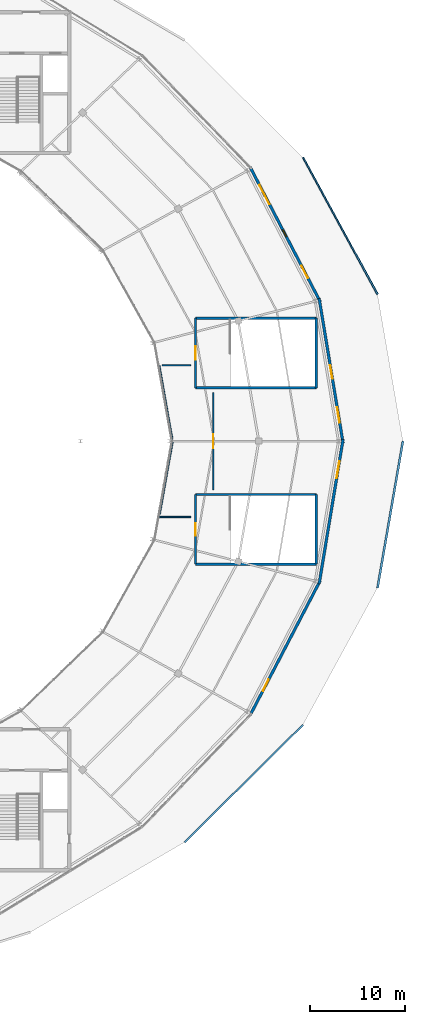
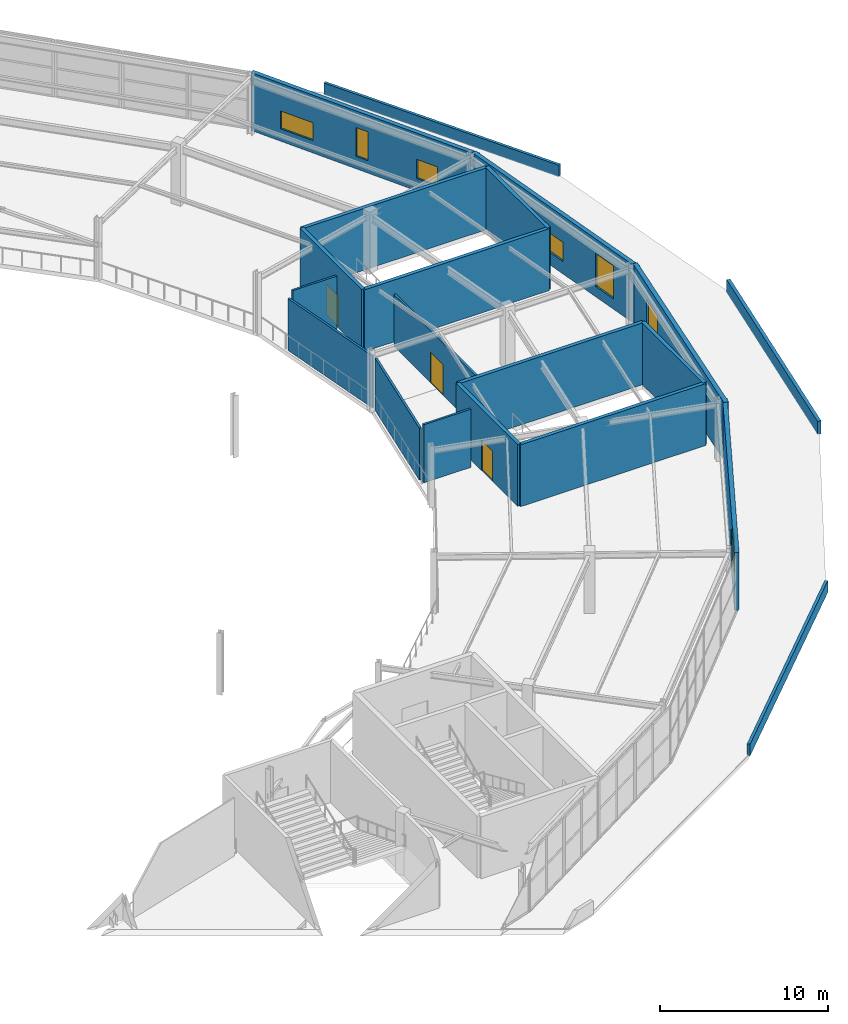
# One storey, part 110 of 126: 20 walls, 7 windows, 3 doors, 10 openings.
"""IFC4 building model written with IfcOpenShell, lengths in metres."""

from ifc_helpers import new_model, si_unit, direction, frame, frame_2d, origin, place, context, subcontext, project, spatial, rectangle, extrude, material, layer, layer_set, type_object, element, fill, save


model = new_model("IFC4")

# Units and contexts
model_context = context("Model", 3, precision=1e-05, world=origin(), true_north=direction((0.0, 1.0)))
body_context = subcontext(model_context, "Body", "Model", "MODEL_VIEW")
ifc_project = project(units=[si_unit("LENGTHUNIT", "METRE"), si_unit("AREAUNIT", "SQUARE_METRE"), si_unit("VOLUMEUNIT", "CUBIC_METRE"), si_unit("PLANEANGLEUNIT", "RADIAN"), si_unit("MASSUNIT", "GRAM", prefix="KILO")], contexts=[model_context])

# Site, building, storey
site_placement = place(None, origin())
site = spatial("IfcSite", under=ifc_project, at=site_placement, CompositionType="ELEMENT")
building_placement = place(site_placement, origin())
building = spatial("IfcBuilding", under=site, at=building_placement, Name="Kalgoora Escarpment Arena", CompositionType="ELEMENT")
storey_placement = place(building_placement, frame((0.0, 0.0, 18.89990234375)))
storey = spatial("IfcBuildingStorey", under=building, at=storey_placement, Name="L04", CompositionType="ELEMENT", Elevation=18.89990234375)

# Wall, openings, windows
ifc_material_1 = material(Name="Upper concourse insulated spandrel wall 40 MPa", Category="concrete")
ifc_layer_1 = layer(ifc_material_1, 0.2900390625)
ifc_layer_set_1 = layer_set([ifc_layer_1], Name="WAL-EXT-290")
wall_type_1 = type_object("IfcWallType", Name="WAL-EXT-290", PredefinedType="SOLIDWALL", material=ifc_layer_set_1)
wall_1_placement = place(storey_placement, frame((154.893798828125, 92.882080078125, 0.0), z_axis=(0.0, 0.0, 1.0), x_axis=(0.461809621972, -0.886979071373, 0.0)))
wall_1 = element("IfcWall", 1, at=wall_1_placement, inside=storey, type_object=wall_type_1, Name="L04 limestone-faced external wall 079", PredefinedType="SOLIDWALL", context=body_context, shape_type="SweptSolid", body=[
    extrude(rectangle(XDim=15.998291015625, YDim=0.2900390625, at=frame_2d((7.9990234375, 0.0))), origin(), (0.0, 0.0, 1.0), 4.210205078125),
])
opening_1_placement = place(wall_1_placement, frame((2.10009765625, 0.0, 0.89990234375)))
opening_1 = element("IfcOpeningElement", 2, at=opening_1_placement, cuts=wall_1, Name="Opening W-16", PredefinedType="OPENING", context=body_context, shape_type="SweptSolid", body=[
    extrude(rectangle(XDim=2.300048828125, YDim=1.300048828125, at=frame_2d((1.14990234375, 0.64990234375))), frame((0.0, 0.155029296875, 0.0), z_axis=(0.0, -1.0, 0.0), x_axis=(1.0, 0.0, 0.0)), (0.0, 0.0, 1.0), 0.31005859375),
])
opening_2_placement = place(wall_1_placement, frame((7.425048828125, 0.0, 0.89990234375)))
opening_2 = element("IfcOpeningElement", 3, at=opening_2_placement, cuts=wall_1, Name="Opening W-18", PredefinedType="OPENING", context=body_context, shape_type="SweptSolid", body=[
    extrude(rectangle(XDim=0.85009765625, YDim=2.10009765625, at=frame_2d((0.425048828125, 1.050048828125))), frame((0.0, 0.155029296875, 0.0), z_axis=(0.0, -1.0, 0.0), x_axis=(1.0, 0.0, 0.0)), (0.0, 0.0, 1.0), 0.31005859375),
])
opening_3_placement = place(wall_1_placement, frame((11.72509765625, 0.0, 0.89990234375)))
opening_3 = element("IfcOpeningElement", 4, at=opening_3_placement, cuts=wall_1, Name="Opening W-20", PredefinedType="OPENING", context=body_context, shape_type="SweptSolid", body=[
    extrude(rectangle(XDim=1.449951171875, YDim=1.39990234375, at=frame_2d((0.72509765625, 0.699951171875))), frame((0.0, 0.155029296875, 0.0), z_axis=(0.0, -1.0, 0.0), x_axis=(1.0, 0.0, 0.0)), (0.0, 0.0, 1.0), 0.31005859375),
])
ifc_material_2 = material(Name="Low-E solar-control double glazing in champagne frame", Category="glass")
window_type_1 = type_object("IfcWindowType", Name="WIN-BOH-1450x1400", PartitioningType="SINGLE_PANEL", PredefinedType="WINDOW", material=ifc_material_2)
window_1_placement = place(opening_3_placement, origin())
window_1 = element("IfcWindow", 5, at=window_1_placement, inside=storey, type_object=window_type_1, Name="L04 scheduled facade window 138", OverallHeight=1.39990234375, OverallWidth=1.449951171875, PartitioningType="SINGLE_PANEL", PredefinedType="WINDOW", context=body_context, shape_type="SweptSolid", body=[
    extrude(rectangle(XDim=1.449951171875, YDim=1.39990234375, at=frame_2d((0.72509765625, 0.699951171875))), frame((0.0, 0.030029296875, 0.0), z_axis=(0.0, -1.0, 0.0), x_axis=(1.0, 0.0, 0.0)), (0.0, 0.0, 1.0), 0.06005859375),
])
fill(opening_3, window_1)
ifc_material_3 = material(Name="Low-E solar-control double glazing in champagne frame", Category="glass")
window_type_2 = type_object("IfcWindowType", Name="WIN-CLER-2300x1300", PartitioningType="SINGLE_PANEL", PredefinedType="WINDOW", material=ifc_material_3)
window_2_placement = place(opening_1_placement, origin())
window_2 = element("IfcWindow", 6, at=window_2_placement, inside=storey, type_object=window_type_2, Name="L04 scheduled facade window 136", OverallHeight=1.300048828125, OverallWidth=2.300048828125, PartitioningType="SINGLE_PANEL", PredefinedType="WINDOW", context=body_context, shape_type="SweptSolid", body=[
    extrude(rectangle(XDim=2.300048828125, YDim=1.300048828125, at=frame_2d((1.14990234375, 0.64990234375))), frame((0.0, 0.030029296875, 0.0), z_axis=(0.0, -1.0, 0.0), x_axis=(1.0, 0.0, 0.0)), (0.0, 0.0, 1.0), 0.06005859375),
])
fill(opening_1, window_2)
ifc_material_4 = material(Name="Low-E solar-control double glazing in champagne frame", Category="glass")
window_type_3 = type_object("IfcWindowType", Name="WIN-SLOT-0850x2100", PartitioningType="SINGLE_PANEL", PredefinedType="WINDOW", material=ifc_material_4)
window_3_placement = place(opening_2_placement, origin())
window_3 = element("IfcWindow", 7, at=window_3_placement, inside=storey, type_object=window_type_3, Name="L04 scheduled facade window 137", OverallHeight=2.10009765625, OverallWidth=0.85009765625, PartitioningType="SINGLE_PANEL", PredefinedType="WINDOW", context=body_context, shape_type="SweptSolid", body=[
    extrude(rectangle(XDim=0.85009765625, YDim=2.10009765625, at=frame_2d((0.425048828125, 1.050048828125))), frame((0.0, 0.030029296875, 0.0), z_axis=(0.0, -1.0, 0.0), x_axis=(1.0, 0.0, 0.0)), (0.0, 0.0, 1.0), 0.06005859375),
])
fill(opening_2, window_3)

wall_2_placement = place(storey_placement, frame((162.16259765625, 79.05029296875, 0.0), z_axis=(0.0, 0.0, 1.0), x_axis=(0.163248112774, -0.986585046347, 0.0)))
wall_2 = element("IfcWall", 8, at=wall_2_placement, inside=storey, type_object=wall_type_1, Name="L04 limestone-faced external wall 080", PredefinedType="SOLIDWALL", context=body_context, shape_type="SweptSolid", body=[
    extrude(rectangle(XDim=15.447265625, YDim=0.2900390625, at=frame_2d((7.7236328125, 0.0))), origin(), (0.0, 0.0, 1.0), 4.210205078125),
])
opening_4_placement = place(wall_2_placement, frame((7.125, 0.0, 0.89990234375)))
opening_4 = element("IfcOpeningElement", 9, at=opening_4_placement, cuts=wall_2, Name="Opening W-20", PredefinedType="OPENING", context=body_context, shape_type="SweptSolid", body=[
    extrude(rectangle(XDim=1.449951171875, YDim=1.39990234375, at=frame_2d((0.72509765625, 0.699951171875))), frame((0.0, 0.155029296875, 0.0), z_axis=(0.0, -1.0, 0.0), x_axis=(1.0, 0.0, 0.0)), (0.0, 0.0, 1.0), 0.31005859375),
])
opening_5_placement = place(wall_2_placement, frame((11.625, 0.0, 0.75)))
opening_5 = element("IfcOpeningElement", 10, at=opening_5_placement, cuts=wall_2, Name="Opening W-02", PredefinedType="OPENING", context=body_context, shape_type="SweptSolid", body=[
    extrude(rectangle(XDim=1.64990234375, YDim=2.39990234375, at=frame_2d((0.824951171875, 1.199951171875))), frame((0.0, 0.155029296875, 0.0), z_axis=(0.0, -1.0, 0.0), x_axis=(1.0, 0.0, 0.0)), (0.0, 0.0, 1.0), 0.31005859375),
])
window_4_placement = place(opening_4_placement, origin())
window_4 = element("IfcWindow", 11, at=window_4_placement, inside=storey, type_object=window_type_1, Name="L04 scheduled facade window 139", OverallHeight=1.39990234375, OverallWidth=1.449951171875, PartitioningType="SINGLE_PANEL", PredefinedType="WINDOW", context=body_context, shape_type="SweptSolid", body=[
    extrude(rectangle(XDim=1.449951171875, YDim=1.39990234375, at=frame_2d((0.72509765625, 0.699951171875))), frame((0.0, 0.030029296875, 0.0), z_axis=(0.0, -1.0, 0.0), x_axis=(1.0, 0.0, 0.0)), (0.0, 0.0, 1.0), 0.06005859375),
])
fill(opening_4, window_4)
ifc_material_5 = material(Name="Low-E solar-control double glazing in champagne frame", Category="glass")
window_type_4 = type_object("IfcWindowType", Name="WIN-DECO-1650x2400", PartitioningType="SINGLE_PANEL", PredefinedType="WINDOW", material=ifc_material_5)
window_5_placement = place(opening_5_placement, origin())
window_5 = element("IfcWindow", 12, at=window_5_placement, inside=storey, type_object=window_type_4, Name="L04 scheduled facade window 140", OverallHeight=2.39990234375, OverallWidth=1.64990234375, PartitioningType="SINGLE_PANEL", PredefinedType="WINDOW", context=body_context, shape_type="SweptSolid", body=[
    extrude(rectangle(XDim=1.64990234375, YDim=2.39990234375, at=frame_2d((0.824951171875, 1.199951171875))), frame((0.0, 0.030029296875, 0.0), z_axis=(0.0, -1.0, 0.0), x_axis=(1.0, 0.0, 0.0)), (0.0, 0.0, 1.0), 0.06005859375),
])
fill(opening_5, window_5)

# Wall, opening, window
wall_3_placement = place(storey_placement, frame((164.684326171875, 64.189697265625, 0.0), z_axis=(0.0, 0.0, 1.0), x_axis=(-0.163248112774, -0.986585046347, 0.0)))
wall_3 = element("IfcWall", 13, at=wall_3_placement, inside=storey, type_object=wall_type_1, Name="L04 limestone-faced external wall 081", PredefinedType="SOLIDWALL", context=body_context, shape_type="SweptSolid", body=[
    extrude(rectangle(XDim=15.447265625, YDim=0.2900390625, at=frame_2d((7.7236328125, 0.0))), origin(), (0.0, 0.0, 1.0), 4.22998046875),
])
opening_6_placement = place(wall_3_placement, frame((2.35009765625, 0.0, 0.75)))
opening_6 = element("IfcOpeningElement", 14, at=opening_6_placement, cuts=wall_3, Name="Opening W-01", PredefinedType="OPENING", context=body_context, shape_type="SweptSolid", body=[
    extrude(rectangle(XDim=1.800048828125, YDim=2.39990234375, at=frame_2d((0.89990234375, 1.199951171875))), frame((0.0, 0.155029296875, 0.0), z_axis=(0.0, -1.0, 0.0), x_axis=(1.0, 0.0, 0.0)), (0.0, 0.0, 1.0), 0.31005859375),
])
ifc_material_6 = material(Name="Low-E solar-control double glazing in champagne frame", Category="glass")
window_type_5 = type_object("IfcWindowType", Name="WIN-DECO-1800x2400", PartitioningType="SINGLE_PANEL", PredefinedType="WINDOW", material=ifc_material_6)
window_6_placement = place(opening_6_placement, origin())
window_6 = element("IfcWindow", 15, at=window_6_placement, inside=storey, type_object=window_type_5, Name="L04 scheduled facade window 141", OverallHeight=2.39990234375, OverallWidth=1.800048828125, PartitioningType="SINGLE_PANEL", PredefinedType="WINDOW", context=body_context, shape_type="SweptSolid", body=[
    extrude(rectangle(XDim=1.800048828125, YDim=2.39990234375, at=frame_2d((0.89990234375, 1.199951171875))), frame((0.0, 0.030029296875, 0.0), z_axis=(0.0, -1.0, 0.0), x_axis=(1.0, 0.0, 0.0)), (0.0, 0.0, 1.0), 0.06005859375),
])
fill(opening_6, window_6)

wall_4_placement = place(storey_placement, frame((162.281982421875, 49.30810546875, 0.0), z_axis=(0.0, 0.0, 1.0), x_axis=(-0.461809621972, -0.886979071373, 0.0)))
wall_4 = element("IfcWall", 16, at=wall_4_placement, inside=storey, type_object=wall_type_1, Name="L04 limestone-faced external wall 082", PredefinedType="SOLIDWALL", context=body_context, shape_type="SweptSolid", body=[
    extrude(rectangle(XDim=15.998291015625, YDim=0.2900390625, at=frame_2d((7.9990234375, 0.0))), origin(), (0.0, 0.0, 1.0), 4.22998046875),
])
opening_7_placement = place(wall_4_placement, frame((11.77490234375, 0.0, 0.75)))
opening_7 = element("IfcOpeningElement", 17, at=opening_7_placement, cuts=wall_4, Name="Opening W-04", PredefinedType="OPENING", context=body_context, shape_type="SweptSolid", body=[
    extrude(rectangle(XDim=1.35009765625, YDim=2.300048828125, at=frame_2d((0.675048828125, 1.14990234375))), frame((0.0, 0.155029296875, 0.0), z_axis=(0.0, -1.0, 0.0), x_axis=(1.0, 0.0, 0.0)), (0.0, 0.0, 1.0), 0.31005859375),
])
ifc_material_7 = material(Name="Low-E solar-control double glazing in champagne frame", Category="glass")
window_type_6 = type_object("IfcWindowType", Name="WIN-DECO-1350x2300", PartitioningType="SINGLE_PANEL", PredefinedType="WINDOW", material=ifc_material_7)
window_7_placement = place(opening_7_placement, origin())
window_7 = element("IfcWindow", 18, at=window_7_placement, inside=storey, type_object=window_type_6, Name="L04 scheduled facade window 142", OverallHeight=2.300048828125, OverallWidth=1.35009765625, PartitioningType="SINGLE_PANEL", PredefinedType="WINDOW", context=body_context, shape_type="SweptSolid", body=[
    extrude(rectangle(XDim=1.35009765625, YDim=2.300048828125, at=frame_2d((0.675048828125, 1.14990234375))), frame((0.0, 0.030029296875, 0.0), z_axis=(0.0, -1.0, 0.0), x_axis=(1.0, 0.0, 0.0)), (0.0, 0.0, 1.0), 0.06005859375),
])
fill(opening_7, window_7)

# Walls
ifc_material_8 = material(Name="Stepped ziggurat roof parapet Concrete N40 (fc' 40 MPa)", Category="concrete")
ifc_layer_2 = layer(ifc_material_8, 0.18505859375)
ifc_layer_set_2 = layer_set([ifc_layer_2], Name="WAL-PAR-185")
wall_type_2 = type_object("IfcWallType", Name="WAL-PAR-185", PredefinedType="PARAPET", material=ifc_layer_set_2)
wall_5_placement = place(storey_placement, frame((160.469482421875, 93.89990234375, 0.0), z_axis=(0.0, 0.0, 1.0), x_axis=(0.478167629272, -0.878268591216, 0.0)))
element("IfcWall", 19, at=wall_5_placement, inside=storey, type_object=wall_type_2, Name="L04 stepped ziggurat limestone parapet 014", PredefinedType="PARAPET", context=body_context, shape_type="SweptSolid", body=[
    extrude(rectangle(XDim=16.421630859375, YDim=0.18505859375, at=frame_2d((8.2109375, 0.0))), origin(), (0.0, 0.0, 1.0), 0.85009765625),
])
wall_6_placement = place(storey_placement, frame((160.469482421875, 34.10009765625, 0.0), z_axis=(0.0, 0.0, 1.0), x_axis=(-0.710112198636, -0.704088535164, 0.0)))
element("IfcWall", 20, at=wall_6_placement, inside=storey, type_object=wall_type_2, Name="L04 stepped ziggurat limestone parapet 016", PredefinedType="PARAPET", context=body_context, shape_type="SweptSolid", body=[
    extrude(rectangle(XDim=17.590087890625, YDim=0.18505859375, at=frame_2d((8.794921875, 0.0))), origin(), (0.0, 0.0, 1.0), 0.85009765625),
])
ifc_material_9 = material(Name="Precast limestone coping parapet Concrete N40 (fc' 40 MPa)", Category="masonry")
ifc_layer_3 = layer(ifc_material_9, 0.22509765625)
ifc_layer_set_3 = layer_set([ifc_layer_3], Name="WAL-PAR-225")
wall_type_3 = type_object("IfcWallType", Name="WAL-PAR-225", PredefinedType="PARAPET", material=ifc_layer_set_3)
wall_7_placement = place(storey_placement, frame((171.0, 64.0, 0.0), z_axis=(0.0, 0.0, 1.0), x_axis=(-0.170508059146, -0.985356281639, 0.0)))
element("IfcWall", 21, at=wall_7_placement, inside=storey, type_object=wall_type_3, Name="L04 stepped ziggurat limestone parapet 015", PredefinedType="PARAPET", context=body_context, shape_type="SweptSolid", body=[
    extrude(rectangle(XDim=15.707275390625, YDim=0.22509765625, at=frame_2d((7.853515625, 0.0))), origin(), (0.0, 0.0, 1.0), 0.9501953125),
])
ifc_material_10 = material(Name="Insulated steel-stud acoustic partition", Category="steel")
ifc_layer_4 = layer(ifc_material_10, 0.14501953125)
ifc_layer_set_4 = layer_set([ifc_layer_4], Name="WAL-ROOM-145")
wall_type_4 = type_object("IfcWallType", Name="WAL-ROOM-145", PredefinedType="PARTITIONING", material=ifc_layer_set_4)
wall_8_placement = place(storey_placement, frame((148.625, 56.0, 0.0), z_axis=(0.0, 0.0, 1.0), x_axis=(-1.0, 0.0, 0.0)))
element("IfcWall", 22, at=wall_8_placement, inside=storey, type_object=wall_type_4, Name="L04 East Sky Pantry Kitchen partition wall", PredefinedType="PARTITIONING", context=body_context, shape_type="SweptSolid", body=[
    extrude(rectangle(XDim=3.242431640625, YDim=0.14501953125, at=frame_2d((1.62109375, 0.0))), origin(), (0.0, 0.0, 1.0), 4.22998046875),
])
wall_9_placement = place(storey_placement, frame((145.354736328125, 56.294677734375, 0.0), z_axis=(0.0, 0.0, 1.0), x_axis=(0.17447040417, 0.984662418329, 0.0)))
element("IfcWall", 23, at=wall_9_placement, inside=storey, type_object=wall_type_4, Name="L04 East Sky Pantry Kitchen partition wall", PredefinedType="PARTITIONING", context=body_context, shape_type="SweptSolid", body=[
    extrude(rectangle(XDim=7.745361328125, YDim=0.14501953125, at=frame_2d((3.87255859375, 0.0))), origin(), (0.0, 0.0, 1.0), 3.779052734375),
])
wall_10_placement = place(storey_placement, frame((146.68115234375, 64.219482421875, 0.0), z_axis=(0.0, 0.0, 1.0), x_axis=(-0.174483298866, 0.984660133456, 0.0)))
element("IfcWall", 24, at=wall_10_placement, inside=storey, type_object=wall_type_4, Name="L04 East Sky Pantry Kitchen partition wall", PredefinedType="PARTITIONING", context=body_context, shape_type="SweptSolid", body=[
    extrude(rectangle(XDim=7.821533203125, YDim=0.14501953125, at=frame_2d((3.91064453125, 0.0))), origin(), (0.0, 0.0, 1.0), 3.779052734375),
])
wall_11_placement = place(storey_placement, frame((145.601806640625, 72.0, 0.0), z_axis=(0.0, 0.0, 1.0), x_axis=(1.0, 0.0, 0.0)))
element("IfcWall", 25, at=wall_11_placement, inside=storey, type_object=wall_type_4, Name="L04 East Sky Pantry Kitchen partition wall", PredefinedType="PARTITIONING", context=body_context, shape_type="SweptSolid", body=[
    extrude(rectangle(XDim=3.023193359375, YDim=0.14501953125, at=frame_2d((1.51171875, 0.0))), origin(), (0.0, 0.0, 1.0), 4.210205078125),
])

# Wall, opening, door
wall_12_placement = place(storey_placement, frame((151.0, 69.125, 0.0), z_axis=(0.0, 0.0, 1.0), x_axis=(0.0, -1.0, 0.0)))
wall_12 = element("IfcWall", 26, at=wall_12_placement, inside=storey, type_object=wall_type_4, Name="L04 East Sky Pantry Kitchen partition wall", PredefinedType="PARTITIONING", context=body_context, shape_type="SweptSolid", body=[
    extrude(rectangle(XDim=10.25, YDim=0.14501953125, at=frame_2d((5.125, 0.0))), origin(), (0.0, 0.0, 1.0), 3.779052734375),
])
opening_8_placement = place(wall_12_placement, frame((4.375, 0.0, 0.0)))
opening_8 = element("IfcOpeningElement", 27, at=opening_8_placement, cuts=wall_12, Name="Opening FD-I143", PredefinedType="OPENING", context=body_context, shape_type="SweptSolid", body=[
    extrude(rectangle(XDim=1.5, YDim=2.199951171875, at=frame_2d((0.75, 1.10009765625))), frame((0.0, 0.08251953125, 0.0), z_axis=(0.0, -1.0, 0.0), x_axis=(1.0, 0.0, 0.0)), (0.0, 0.0, 1.0), 0.1650390625),
])
ifc_material_11 = material(Name="Stainless-clad fire-rated kitchen double door")
door_type_1 = type_object("IfcDoorType", Name="DR-KIT-1500", OperationType="NOTDEFINED", PredefinedType="DOOR", material=ifc_material_11)
door_1_placement = place(opening_8_placement, origin())
door_1 = element("IfcDoor", 28, at=door_1_placement, inside=storey, type_object=door_type_1, Name="East Sky Pantry Kitchen entrance door", OperationType="DOUBLE_DOOR_SINGLE_SWING", OverallHeight=2.199951171875, OverallWidth=1.5, PredefinedType="DOOR", context=body_context, shape_type="SweptSolid", body=[
    extrude(rectangle(XDim=1.5, YDim=2.199951171875, at=frame_2d((0.75, 1.10009765625))), frame((0.0, 0.02490234375, 0.0), z_axis=(0.0, -1.0, 0.0), x_axis=(1.0, 0.0, 0.0)), (0.0, 0.0, 1.0), 0.050048828125),
])
fill(opening_8, door_1)

# Walls
ifc_material_12 = material(Name="Concrete N50 (fc' 50 MPa)", Category="concrete")
ifc_layer_5 = layer(ifc_material_12, 0.25)
ifc_layer_set_5 = layer_set([ifc_layer_5], Name="WAL-STAIR-250")
wall_type_5 = type_object("IfcWallType", Name="WAL-STAIR-250", PredefinedType="SHEAR", material=ifc_layer_set_5)
for number, where, z_axis, x_axis, name in (
    (29, (149.125, 69.625, 0.0), (0.0, 0.0, 1.0), (1.0, 0.0, 0.0), "Exit stair ST21 L04 south wall"),
    (30, (149.125, 76.97509765625, 0.0), (0.0, 0.0, 1.0), (1.0, 0.0, 0.0), "Exit stair ST21 L04 north wall"),
):
    element("IfcWall", number, at=place(storey_placement, frame(where, z_axis=z_axis, x_axis=x_axis)), inside=storey, type_object=wall_type_5, Name=name, PredefinedType="SHEAR", context=body_context, shape_type="SweptSolid", body=[
        extrude(rectangle(XDim=12.75, YDim=0.25, at=frame_2d((6.375, 0.0))), origin(), (0.0, 0.0, 1.0), 4.5),
    ])

# Wall, opening, door
wall_13_placement = place(storey_placement, frame((149.125, 69.625, 0.0), z_axis=(0.0, 0.0, 1.0), x_axis=(0.0, 1.0, 0.0)))
wall_13 = element("IfcWall", 31, at=wall_13_placement, inside=storey, type_object=wall_type_5, Name="Exit stair ST21 L04 west wall", PredefinedType="SHEAR", context=body_context, shape_type="SweptSolid", body=[
    extrude(rectangle(XDim=7.35009765625, YDim=0.25, at=frame_2d((3.675048828125, 0.0))), origin(), (0.0, 0.0, 1.0), 4.5),
])
opening_9_placement = place(wall_13_placement, frame((2.97509765625, 0.0, 0.0)))
opening_9 = element("IfcOpeningElement", 32, at=opening_9_placement, cuts=wall_13, Name="Opening FD-ST21", PredefinedType="OPENING", context=body_context, shape_type="SweptSolid", body=[
    extrude(rectangle(XDim=1.39990234375, YDim=2.199951171875, at=frame_2d((0.699951171875, 1.10009765625))), frame((0.0, 0.135009765625, 0.0), z_axis=(0.0, -1.0, 0.0), x_axis=(1.0, 0.0, 0.0)), (0.0, 0.0, 1.0), 0.27001953125),
])
ifc_material_13 = material(Name="Fire-rated steel stair leaf with vision panel", Category="steel")
door_type_2 = type_object("IfcDoorType", Name="DR-STAIR-1400", OperationType="NOTDEFINED", PredefinedType="DOOR", material=ifc_material_13)
door_2_placement = place(opening_9_placement, origin())
door_2 = element("IfcDoor", 33, at=door_2_placement, inside=storey, type_object=door_type_2, Name="Fire-isolated stair ST21 L04 egress door", OperationType="SINGLE_SWING_LEFT", OverallHeight=2.199951171875, OverallWidth=1.39990234375, PredefinedType="DOOR", context=body_context, shape_type="SweptSolid", body=[
    extrude(rectangle(XDim=1.39990234375, YDim=2.199951171875, at=frame_2d((0.699951171875, 1.10009765625))), frame((0.0, 0.02490234375, 0.0), z_axis=(0.0, -1.0, 0.0), x_axis=(1.0, 0.0, 0.0)), (0.0, 0.0, 1.0), 0.050048828125),
])
fill(opening_9, door_2)

# Walls
wall_14_placement = place(storey_placement, frame((161.875, 69.625, 0.0), z_axis=(0.0, 0.0, 1.0), x_axis=(0.0, 1.0, 0.0)))
element("IfcWall", 34, at=wall_14_placement, inside=storey, type_object=wall_type_5, Name="Exit stair ST21 L04 east wall", PredefinedType="SHEAR", context=body_context, shape_type="SweptSolid", body=[
    extrude(rectangle(XDim=7.35009765625, YDim=0.25, at=frame_2d((3.675048828125, 0.0))), origin(), (0.0, 0.0, 1.0), 4.5),
])
for number, where, z_axis, x_axis, name in (
    (35, (149.125, 51.02490234375, 0.0), (0.0, 0.0, 1.0), (1.0, 0.0, 0.0), "Exit stair ST22 L04 south wall"),
    (36, (149.125, 58.375, 0.0), (0.0, 0.0, 1.0), (1.0, 0.0, 0.0), "Exit stair ST22 L04 north wall"),
):
    element("IfcWall", number, at=place(storey_placement, frame(where, z_axis=z_axis, x_axis=x_axis)), inside=storey, type_object=wall_type_5, Name=name, PredefinedType="SHEAR", context=body_context, shape_type="SweptSolid", body=[
        extrude(rectangle(XDim=12.75, YDim=0.25, at=frame_2d((6.375, 0.0))), origin(), (0.0, 0.0, 1.0), 4.5),
    ])

# Wall, opening, door
wall_15_placement = place(storey_placement, frame((149.125, 51.02490234375, 0.0), z_axis=(0.0, 0.0, 1.0), x_axis=(0.0, 1.0, 0.0)))
wall_15 = element("IfcWall", 37, at=wall_15_placement, inside=storey, type_object=wall_type_5, Name="Exit stair ST22 L04 west wall", PredefinedType="SHEAR", context=body_context, shape_type="SweptSolid", body=[
    extrude(rectangle(XDim=7.35009765625, YDim=0.25, at=frame_2d((3.675048828125, 0.0))), origin(), (0.0, 0.0, 1.0), 4.5),
])
opening_10_placement = place(wall_15_placement, frame((3.014892578125, 0.0, 0.0)))
opening_10 = element("IfcOpeningElement", 38, at=opening_10_placement, cuts=wall_15, Name="Opening FD-ST22", PredefinedType="OPENING", context=body_context, shape_type="SweptSolid", body=[
    extrude(rectangle(XDim=1.320068359375, YDim=2.199951171875, at=frame_2d((0.66015625, 1.10009765625))), frame((0.0, 0.135009765625, 0.0), z_axis=(0.0, -1.0, 0.0), x_axis=(1.0, 0.0, 0.0)), (0.0, 0.0, 1.0), 0.27001953125),
])
ifc_material_14 = material(Name="Fire-rated steel stair leaf with vision panel", Category="steel")
door_type_3 = type_object("IfcDoorType", Name="DR-STAIR-1320", OperationType="NOTDEFINED", PredefinedType="DOOR", material=ifc_material_14)
door_3_placement = place(opening_10_placement, origin())
door_3 = element("IfcDoor", 39, at=door_3_placement, inside=storey, type_object=door_type_3, Name="Fire-isolated stair ST22 L04 egress door", OperationType="SINGLE_SWING_RIGHT", OverallHeight=2.199951171875, OverallWidth=1.320068359375, PredefinedType="DOOR", context=body_context, shape_type="SweptSolid", body=[
    extrude(rectangle(XDim=1.320068359375, YDim=2.199951171875, at=frame_2d((0.66015625, 1.10009765625))), frame((0.0, 0.02490234375, 0.0), z_axis=(0.0, -1.0, 0.0), x_axis=(1.0, 0.0, 0.0)), (0.0, 0.0, 1.0), 0.050048828125),
])
fill(opening_10, door_3)

# Wall
wall_16_placement = place(storey_placement, frame((161.875, 51.02490234375, 0.0), z_axis=(0.0, 0.0, 1.0), x_axis=(0.0, 1.0, 0.0)))
element("IfcWall", 40, at=wall_16_placement, inside=storey, type_object=wall_type_5, Name="Exit stair ST22 L04 east wall", PredefinedType="SHEAR", context=body_context, shape_type="SweptSolid", body=[
    extrude(rectangle(XDim=7.35009765625, YDim=0.25, at=frame_2d((3.675048828125, 0.0))), origin(), (0.0, 0.0, 1.0), 4.5),
])

save(model, "model.ifc")
